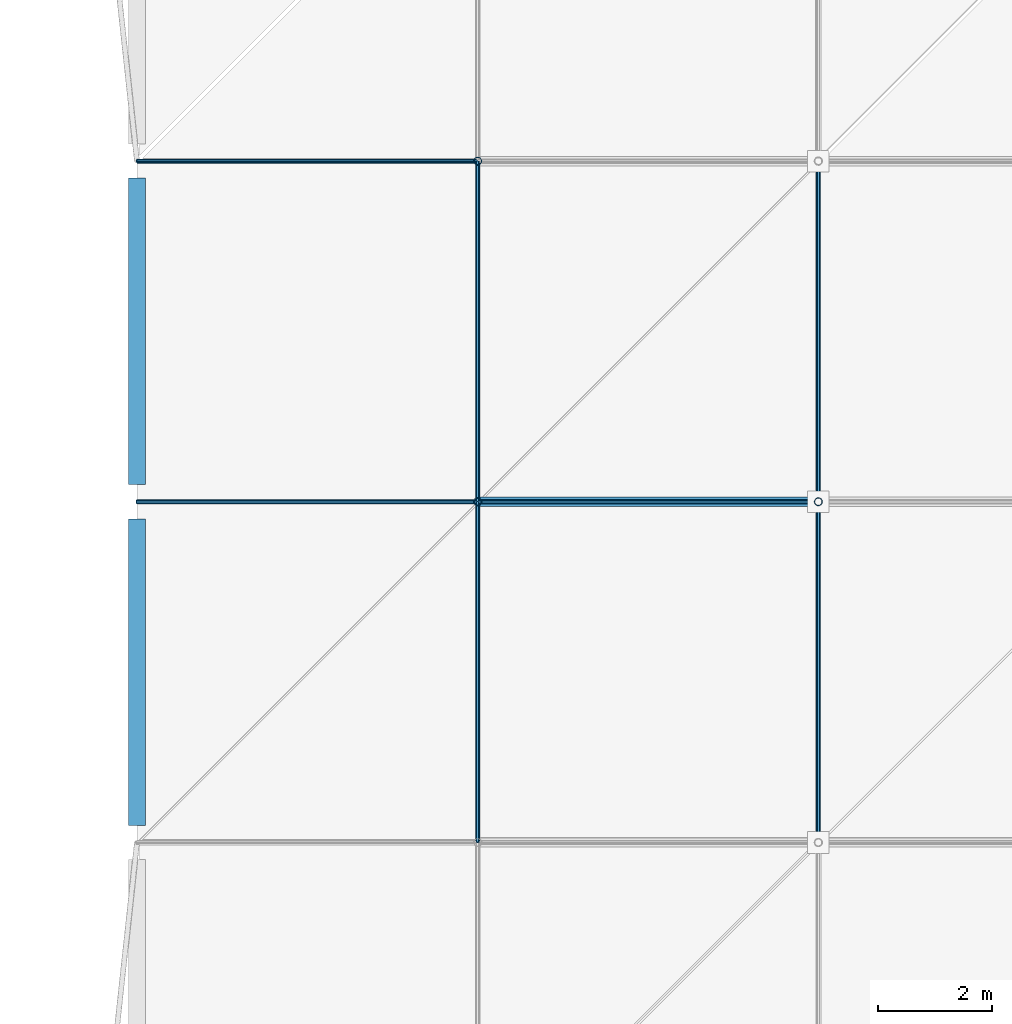
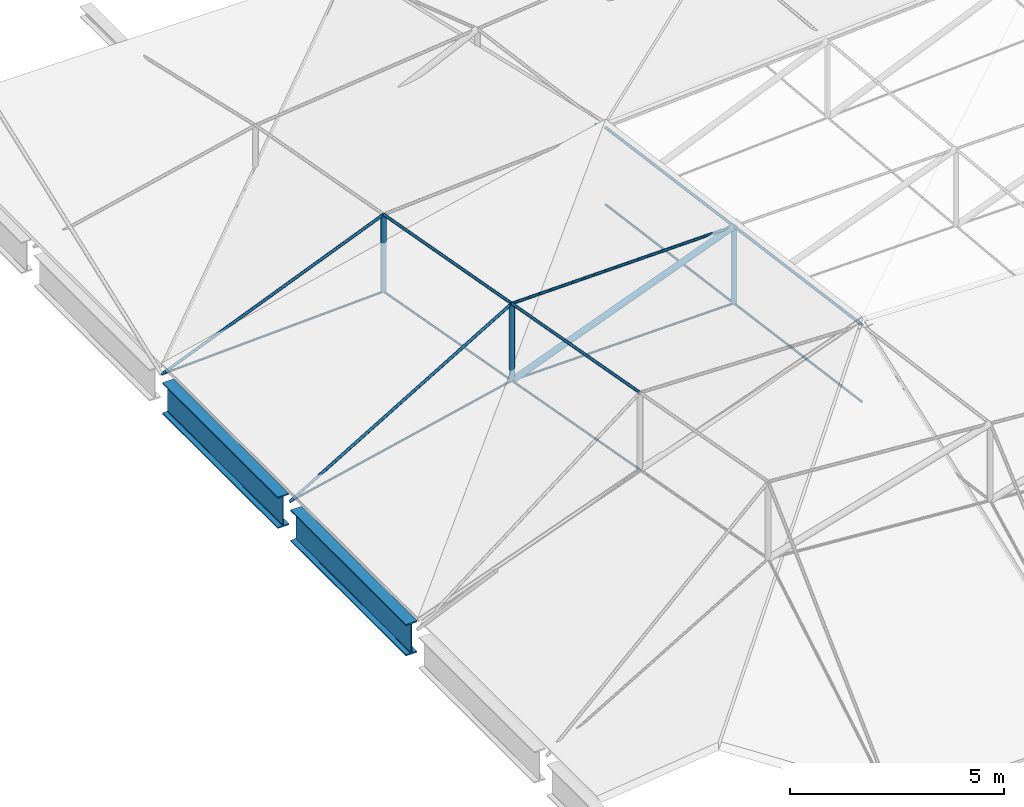
# One storey, part 25 of 132: 18 members, 2 beams.
"""IFC4 building model written with IfcOpenShell, lengths in metres."""

from ifc_helpers import new_model, si_unit, direction, frame, origin, origin_2d, place, context, subcontext, project, spatial, circle, hollow_circle, i_section, extrude, material, material_profile, profile_set, type_object, element, save


model = new_model("IFC4")

# Units and contexts
model_context = context("Model", 3, precision=1e-05, world=origin(), true_north=direction((0.0, 1.0)))
body_context = subcontext(model_context, "Body", "Model", "MODEL_VIEW")
ifc_project = project(units=[si_unit("LENGTHUNIT", "METRE"), si_unit("AREAUNIT", "SQUARE_METRE"), si_unit("VOLUMEUNIT", "CUBIC_METRE"), si_unit("PLANEANGLEUNIT", "RADIAN"), si_unit("MASSUNIT", "GRAM", prefix="KILO")], contexts=[model_context])

# Site, building, storey
site_placement = place(None, origin())
site = spatial("IfcSite", under=ifc_project, at=site_placement, CompositionType="ELEMENT")
building_placement = place(site_placement, origin())
building = spatial("IfcBuilding", under=site, at=building_placement, Name="Deido Ridge Mobility Hub", CompositionType="ELEMENT")
storey_placement = place(building_placement, frame((0.0, 0.0, 8.39990234375)))
storey = spatial("IfcBuildingStorey", under=building, at=storey_placement, Name="L02", CompositionType="ELEMENT", Elevation=8.39990234375)

# Beams
ifc_material_1 = material(Name="Steel S355J2 EN 10025-2", Category="steel")
ifc_material_profile_1 = material_profile(ifc_material_1, i_section(OverallWidth=0.300048828125, OverallDepth=0.89990234375, WebThickness=0.0185546875, FlangeThickness=0.034912109375, FilletRadius=0.027099609375, at=origin_2d()), Name="HEB 900")
ifc_profile_set_1 = profile_set([ifc_material_profile_1], Name="Steel S355J2 EN 10025-2")
beam_type = type_object("IfcBeamType", Name="BM-RING-HEB900", PredefinedType="USERDEFINED", material=ifc_profile_set_1)
for number, where, z_axis, x_axis, name in (
    (1, (0.0, 12.300048828125, -0.449951171875), (0.0, 1.0, 0.0), (-1.0, 0.0, 0.0), "Compression ring beam RB1"),
    (2, (0.0, 18.300048828125, -0.449951171875), (0.0, 1.0, 0.0), (-1.0, 0.0, 0.0), "Compression ring beam RB1"),
):
    element("IfcBeam", number, at=place(storey_placement, frame(where, z_axis=z_axis, x_axis=x_axis)), inside=storey, type_object=beam_type, Name=name, ObjectType="RING BEAM", PredefinedType="USERDEFINED", context=body_context, shape_type="SweptSolid", body=[
        extrude(i_section(OverallWidth=0.300048828125, OverallDepth=0.89990234375, WebThickness=0.0185546875, FlangeThickness=0.034912109375, FilletRadius=0.027099609375, at=origin_2d()), origin(), (0.0, 0.0, 1.0), 5.39990234375),
    ])

# Members
ifc_material_2 = material(Name="Steel S460M EN 10025-4", Category="steel")
ifc_material_profile_2 = material_profile(ifc_material_2, circle(Radius=0.030029296875, at=origin_2d()), Name="CABLE D60")
ifc_profile_set_2 = profile_set([ifc_material_profile_2], Name="Steel S460M EN 10025-4")
member_type_1 = type_object("IfcMemberType", Name="MEM-CBL-D60", PredefinedType="USERDEFINED", material=ifc_profile_set_2)
member_1_placement = place(storey_placement, frame((0.0, 18.0, 0.0), z_axis=(0.975256664821, 0.0, 0.221075638009), x_axis=(0.0, 1.0, 0.0)))
element("IfcMember", 3, at=member_1_placement, inside=storey, type_object=member_type_1, Name="Saddle lower stabilizing cable CB3", ObjectType="TENSION CABLE", PredefinedType="USERDEFINED", context=body_context, shape_type="SweptSolid", body=[
    extrude(circle(Radius=0.030029296875, at=origin_2d()), origin(), (0.0, 0.0, 1.0), 6.15234375),
])
member_2_placement = place(storey_placement, frame((6.0, 18.0, 1.360107421875), z_axis=(0.999831658568, 0.0, 0.018348147706), x_axis=(0.0, 1.0, 0.0)))
element("IfcMember", 4, at=member_2_placement, inside=storey, type_object=member_type_1, Name="Saddle lower stabilizing cable CB3", ObjectType="TENSION CABLE", PredefinedType="USERDEFINED", context=body_context, shape_type="SweptSolid", body=[
    extrude(circle(Radius=0.030029296875, at=origin_2d()), origin(), (0.0, 0.0, 1.0), 6.0009765625),
])
member_3_placement = place(storey_placement, frame((0.0, 24.0, 0.0), z_axis=(0.999012483749, 0.0, 0.044430364776), x_axis=(0.0, 1.0, 0.0)))
element("IfcMember", 5, at=member_3_placement, inside=storey, type_object=member_type_1, Name="Saddle lower stabilizing cable CB3", ObjectType="TENSION CABLE", PredefinedType="USERDEFINED", context=body_context, shape_type="SweptSolid", body=[
    extrude(circle(Radius=0.030029296875, at=origin_2d()), origin(), (0.0, 0.0, 1.0), 6.005859375),
])
for number, where, z_axis, x_axis, name in (
    (6, (6.0, 12.0, 2.453369140625), (0.0, 0.983801946657, -0.179258834519), (-1.0, 0.0, 0.0), "Saddle transverse valley cable CB3"),
    (7, (6.0, 18.0, 1.360107421875), (0.0, 0.983801946657, -0.179258834519), (-1.0, 0.0, 0.0), "Saddle transverse valley cable CB3"),
):
    element("IfcMember", number, at=place(storey_placement, frame(where, z_axis=z_axis, x_axis=x_axis)), inside=storey, type_object=member_type_1, Name=name, ObjectType="TENSION CABLE", PredefinedType="USERDEFINED", context=body_context, shape_type="SweptSolid", body=[
        extrude(circle(Radius=0.030029296875, at=origin_2d()), origin(), (0.0, 0.0, 1.0), 6.098876953125),
    ])
for number, where, z_axis, x_axis, name in (
    (8, (12.0, 12.0, 2.2900390625), (0.0, 0.990793823782, -0.135379462087), (-1.0, 0.0, 0.0), "Saddle transverse valley cable CB3"),
    (9, (12.0, 18.0, 1.47021484375), (0.0, 0.990788415376, -0.135419038381), (-1.0, 0.0, 0.0), "Saddle transverse valley cable CB3"),
):
    element("IfcMember", number, at=place(storey_placement, frame(where, z_axis=z_axis, x_axis=x_axis)), inside=storey, type_object=member_type_1, Name=name, ObjectType="TENSION CABLE", PredefinedType="USERDEFINED", context=body_context, shape_type="SweptSolid", body=[
        extrude(circle(Radius=0.030029296875, at=origin_2d()), origin(), (0.0, 0.0, 1.0), 6.0556640625),
    ])
ifc_material_profile_3 = material_profile(ifc_material_2, circle(Radius=0.0380859375, at=origin_2d()), Name="CABLE D76")
ifc_profile_set_3 = profile_set([ifc_material_profile_3], Name="Steel S460M EN 10025-4")
member_type_2 = type_object("IfcMemberType", Name="MEM-CBL-D76", PredefinedType="USERDEFINED", material=ifc_profile_set_3)
member_4_placement = place(storey_placement, frame((0.0, 18.0, 0.0), z_axis=(0.860008324032, 0.0, 0.510280004111), x_axis=(0.0, 1.0, 0.0)))
element("IfcMember", 10, at=member_4_placement, inside=storey, type_object=member_type_2, Name="Saddle upper longitudinal cable CB2", ObjectType="TENSION CABLE", PredefinedType="USERDEFINED", context=body_context, shape_type="SweptSolid", body=[
    extrude(circle(Radius=0.0380859375, at=origin_2d()), origin(), (0.0, 0.0, 1.0), 6.9765625),
])
member_5_placement = place(storey_placement, frame((6.0, 18.0, 3.56005859375), z_axis=(0.999831658568, 0.0, 0.018348147706), x_axis=(0.0, 1.0, 0.0)))
element("IfcMember", 11, at=member_5_placement, inside=storey, type_object=member_type_2, Name="Saddle upper longitudinal cable CB2", ObjectType="TENSION CABLE", PredefinedType="USERDEFINED", context=body_context, shape_type="SweptSolid", body=[
    extrude(circle(Radius=0.0380859375, at=origin_2d()), origin(), (0.0, 0.0, 1.0), 6.0009765625),
])
member_6_placement = place(storey_placement, frame((0.0, 24.0, 0.0), z_axis=(0.924883723573, 0.0, 0.380250046508), x_axis=(0.0, 1.0, 0.0)))
element("IfcMember", 12, at=member_6_placement, inside=storey, type_object=member_type_2, Name="Saddle upper longitudinal cable CB2", ObjectType="TENSION CABLE", PredefinedType="USERDEFINED", context=body_context, shape_type="SweptSolid", body=[
    extrude(circle(Radius=0.0380859375, at=origin_2d()), origin(), (0.0, 0.0, 1.0), 6.4873046875),
])
for number, where, z_axis, x_axis, name in (
    (13, (6.0, 12.0, 4.6533203125), (0.0, 0.983801946657, -0.179258834519), (-1.0, 0.0, 0.0), "Saddle transverse ridge cable CB2"),
    (14, (6.0, 18.0, 3.56005859375), (0.0, 0.983801946657, -0.179258834519), (-1.0, 0.0, 0.0), "Saddle transverse ridge cable CB2"),
):
    element("IfcMember", number, at=place(storey_placement, frame(where, z_axis=z_axis, x_axis=x_axis)), inside=storey, type_object=member_type_2, Name=name, ObjectType="TENSION CABLE", PredefinedType="USERDEFINED", context=body_context, shape_type="SweptSolid", body=[
        extrude(circle(Radius=0.0380859375, at=origin_2d()), origin(), (0.0, 0.0, 1.0), 6.098876953125),
    ])
for number, where, z_axis, x_axis, name in (
    (15, (12.0, 12.0, 4.489990234375), (0.0, 0.990793823782, -0.135379462087), (-1.0, 0.0, 0.0), "Saddle transverse ridge cable CB2"),
    (16, (12.0, 18.0, 3.670166015625), (0.0, 0.990788415376, -0.135419038381), (-1.0, 0.0, 0.0), "Saddle transverse ridge cable CB2"),
):
    element("IfcMember", number, at=place(storey_placement, frame(where, z_axis=z_axis, x_axis=x_axis)), inside=storey, type_object=member_type_2, Name=name, ObjectType="TENSION CABLE", PredefinedType="USERDEFINED", context=body_context, shape_type="SweptSolid", body=[
        extrude(circle(Radius=0.0380859375, at=origin_2d()), origin(), (0.0, 0.0, 1.0), 6.0556640625),
    ])
ifc_material_3 = material(Name="Steel S355J2H EN 10210-1", Category="steel")
ifc_material_profile_4 = material_profile(ifc_material_3, hollow_circle(Radius=0.06982421875, WallThickness=0.00634765625, at=origin_2d()), Name="CHS 139.7x6.3")
ifc_profile_set_4 = profile_set([ifc_material_profile_4], Name="Steel S355J2H EN 10210-1")
member_type_3 = type_object("IfcMemberType", Name="MEM-STR-CHS140", PredefinedType="STRUT", material=ifc_profile_set_4)
for number, where, z_axis, x_axis, name in (
    (17, (6.0, 18.0, 1.360107421875), (0.0, 0.0, 1.0), (1.0, 0.0, 0.0), "Cable-net vertical spreader strut SR2"),
    (18, (6.0, 24.0, 0.266845703125), (0.0, 0.0, 1.0), (1.0, 0.0, 0.0), "Cable-net vertical spreader strut SR2"),
    (19, (12.0, 18.0, 1.47021484375), (0.0, 0.0, 1.0), (1.0, 0.0, 0.0), "Cable-net vertical spreader strut SR2"),
):
    element("IfcMember", number, at=place(storey_placement, frame(where, z_axis=z_axis, x_axis=x_axis)), inside=storey, type_object=member_type_3, Name=name, PredefinedType="STRUT", context=body_context, shape_type="SweptSolid", body=[
        extrude(hollow_circle(Radius=0.06982421875, WallThickness=0.00634765625, at=origin_2d()), origin(), (0.0, 0.0, 1.0), 2.199951171875),
    ])
ifc_material_profile_5 = material_profile(ifc_material_3, hollow_circle(Radius=0.084228515625, WallThickness=0.008056640625, at=origin_2d()), Name="CHS 168.3x8")
ifc_profile_set_5 = profile_set([ifc_material_profile_5], Name="Steel S355J2H EN 10210-1")
member_type_4 = type_object("IfcMemberType", Name="MEM-STR-CHS168", PredefinedType="STRUT", material=ifc_profile_set_5)
member_7_placement = place(storey_placement, frame((6.0, 18.0, 1.360107421875), z_axis=(0.933222237046, 0.0, 0.359299674761), x_axis=(0.0, 1.0, 0.0)))
element("IfcMember", 20, at=member_7_placement, inside=storey, type_object=member_type_4, Name="Saddle diagonal web strut SR1", PredefinedType="STRUT", context=body_context, shape_type="SweptSolid", body=[
    extrude(hollow_circle(Radius=0.084228515625, WallThickness=0.008056640625, at=origin_2d()), origin(), (0.0, 0.0, 1.0), 6.429443359375),
])

save(model, "model.ifc")
